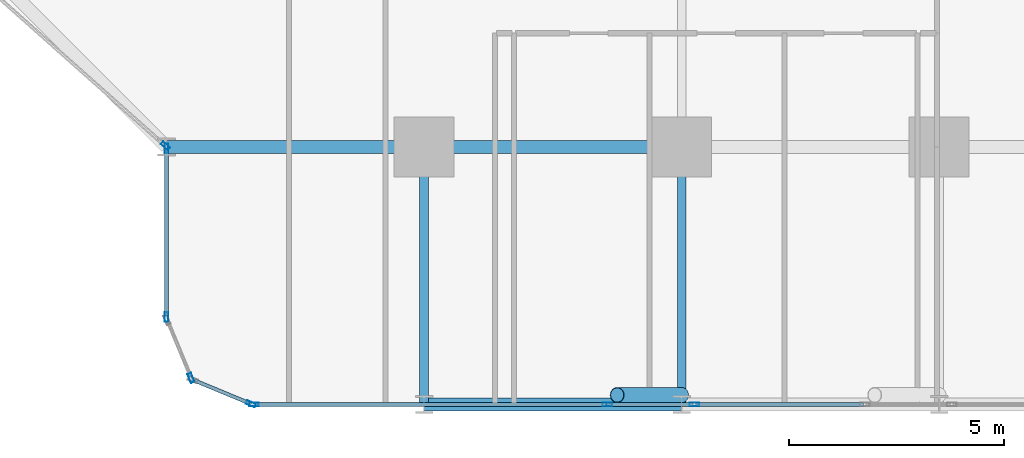
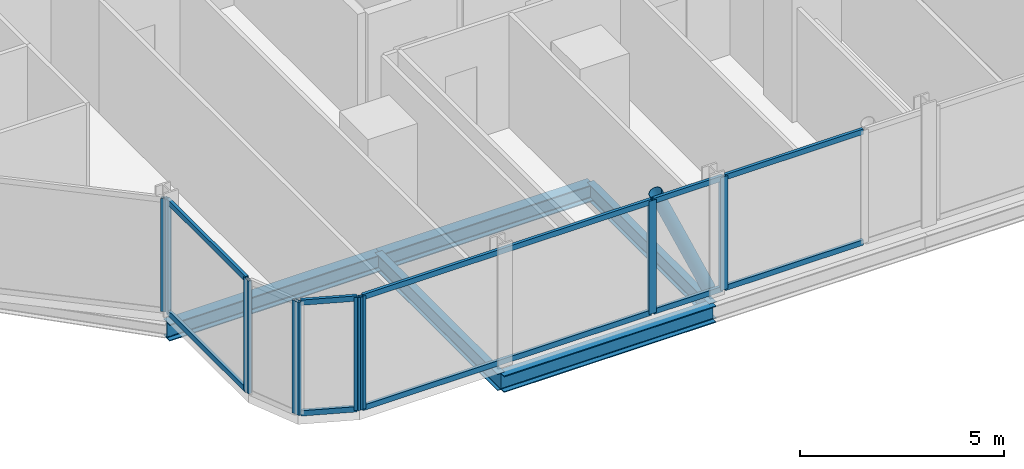
# One storey, part 3 of 33: 19 members, 5 beams, 7 elements without a shape of their own.
"""IFC4 building model written with IfcOpenShell, lengths in metres."""

from ifc_helpers import new_model, si_unit, direction, frame, origin, origin_2d, place, context, subcontext, project, spatial, hollow_rectangle, hollow_circle, i_section, extrude, material, layer, layer_set, material_profile, profile_set, type_object, element, aggregate, save


model = new_model("IFC4")

# Units and contexts
model_context = context("Model", 3, precision=1e-05, world=origin(), true_north=direction((0.0, 1.0)))
body_context = subcontext(model_context, "Body", "Model", "MODEL_VIEW")
ifc_project = project(units=[si_unit("LENGTHUNIT", "METRE"), si_unit("AREAUNIT", "SQUARE_METRE"), si_unit("VOLUMEUNIT", "CUBIC_METRE"), si_unit("PLANEANGLEUNIT", "RADIAN"), si_unit("MASSUNIT", "GRAM", prefix="KILO")], contexts=[model_context])

# Site, building, storey
site_placement = place(None, origin())
site = spatial("IfcSite", under=ifc_project, at=site_placement, CompositionType="ELEMENT")
building_placement = place(site_placement, origin())
building = spatial("IfcBuilding", under=site, at=building_placement, Name="Keshet Zoharim Tower", CompositionType="ELEMENT")
storey_placement = place(building_placement, frame((0.0, 0.0, 35.10009765625)))
storey = spatial("IfcBuildingStorey", under=building, at=storey_placement, Name="L07", CompositionType="ELEMENT", Elevation=35.10009765625)

# Beams
ifc_material_1 = material(Name="Steel S355", Category="steel")
ifc_material_profile_1 = material_profile(ifc_material_1, i_section(OverallWidth=0.199951171875, OverallDepth=0.5, WebThickness=0.01025390625, FlangeThickness=0.01611328125, FilletRadius=0.02099609375, at=origin_2d()), Name="IPE500")
ifc_profile_set_1 = profile_set([ifc_material_profile_1], Name="Steel S355")
beam_type_1 = type_object("IfcBeamType", Name="BM-PRI-IP500", PredefinedType="BEAM", material=ifc_profile_set_1)
for number, where, z_axis, x_axis, name in (
    (1, (27.0, 0.699951171875, -0.565185546875), (0.0, 1.0, 0.0), (-1.0, 0.0, 0.0), "L07 Primary Girder Y-004"),
    (2, (33.0, 0.699951171875, -0.565185546875), (0.0, 1.0, 0.0), (-1.0, 0.0, 0.0), "L07 Primary Girder Y-005"),
):
    element("IfcBeam", number, at=place(storey_placement, frame(where, z_axis=z_axis, x_axis=x_axis)), inside=storey, type_object=beam_type_1, Name=name, PredefinedType="BEAM", context=body_context, shape_type="SweptSolid", body=[
        extrude(i_section(OverallWidth=0.199951171875, OverallDepth=0.5, WebThickness=0.01025390625, FlangeThickness=0.01611328125, FilletRadius=0.02099609375, at=origin_2d()), origin(), (0.0, 0.0, 1.0), 6.0),
    ])
ifc_material_profile_2 = material_profile(ifc_material_1, i_section(OverallWidth=0.300048828125, OverallDepth=0.5, WebThickness=0.014404296875, FlangeThickness=0.028076171875, FilletRadius=0.027099609375, at=origin_2d()), Name="HEB500")
ifc_profile_set_2 = profile_set([ifc_material_profile_2], Name="Steel S355")
beam_type_2 = type_object("IfcBeamType", Name="BM-WEB-HB500", PredefinedType="BEAM", material=ifc_profile_set_2)
for number, where, z_axis, x_axis, name in (
    (3, (27.0, 0.699951171875, -0.565185546875), (1.0, 0.0, 0.0), (0.0, 1.0, 0.0), "L07 Primary Girder X-001"),
    (4, (21.0, 6.699951171875, -0.565185546875), (1.0, 0.0, 0.0), (0.0, 1.0, 0.0), "L07 Primary Girder X-006"),
    (5, (27.0, 6.699951171875, -0.565185546875), (1.0, 0.0, 0.0), (0.0, 1.0, 0.0), "L07 Primary Girder X-007"),
):
    element("IfcBeam", number, at=place(storey_placement, frame(where, z_axis=z_axis, x_axis=x_axis)), inside=storey, type_object=beam_type_2, Name=name, PredefinedType="BEAM", context=body_context, shape_type="SweptSolid", body=[
        extrude(i_section(OverallWidth=0.300048828125, OverallDepth=0.5, WebThickness=0.014404296875, FlangeThickness=0.028076171875, FilletRadius=0.027099609375, at=origin_2d()), origin(), (0.0, 0.0, 1.0), 6.0),
    ])

# Curtain wall, member
ifc_material_2 = material(Name="Aluminium 6063-T6", Category="aluminium")
ifc_layer = layer(ifc_material_2, 0.179931640625)
ifc_layer_set = layer_set([ifc_layer], Name="Aluminium 6063-T6")
curtain_wall_type = type_object("IfcCurtainWallType", Name="CW-SYS-01", PredefinedType="NOTDEFINED", material=ifc_layer_set)
curtain_wall_1_placement = place(storey_placement, origin())
curtain_wall_1 = element("IfcCurtainWall", 6, at=curtain_wall_1_placement, inside=storey, type_object=curtain_wall_type, Name="L07 Unitised Curtain Wall 01", PredefinedType="NOTDEFINED")
ifc_material_profile_3 = material_profile(ifc_material_2, hollow_rectangle(XDim=0.090087890625, YDim=0.219970703125, WallThickness=0.0048828125, at=origin_2d()), Name="MUL-90x220")
ifc_profile_set_3 = profile_set([ifc_material_profile_3], Name="Aluminium 6063-T6")
member_type_1 = type_object("IfcMemberType", Name="CWM-M22", PredefinedType="MULLION", material=ifc_profile_set_3)
member_1_placement = place(storey_placement, frame((20.973876953125, 6.72314453125, 0.0), z_axis=(0.0, 0.0, 1.0), x_axis=(-0.664363838836, -0.747409318679, 0.0)))
member_1 = element("IfcMember", 7, at=member_1_placement, type_object=member_type_1, Name="CW-01 mullion 1", PredefinedType="MULLION", context=body_context, shape_type="SweptSolid", body=[
    extrude(hollow_rectangle(XDim=0.090087890625, YDim=0.219970703125, WallThickness=0.0048828125, at=origin_2d()), origin(), (0.0, 0.0, 1.0), 3.385009765625),
])
aggregate(curtain_wall_1, [member_1])

curtain_wall_2_placement = place(storey_placement, origin())
curtain_wall_2 = element("IfcCurtainWall", 8, at=curtain_wall_2_placement, inside=storey, type_object=curtain_wall_type, Name="L07 Unitised Curtain Wall 26 Part 3", PredefinedType="NOTDEFINED")
member_2_placement = place(storey_placement, frame((33.297607421875, 0.699951171875, 0.0), z_axis=(0.0, 0.0, 1.0), x_axis=(0.0, -1.0, 0.0)))
member_2 = element("IfcMember", 9, at=member_2_placement, type_object=member_type_1, Name="CW-01 mullion 2", PredefinedType="MULLION", context=body_context, shape_type="SweptSolid", body=[
    extrude(hollow_rectangle(XDim=0.090087890625, YDim=0.219970703125, WallThickness=0.0048828125, at=origin_2d()), origin(), (0.0, 0.0, 1.0), 3.385009765625),
])

curtain_wall_3_placement = place(storey_placement, origin())
curtain_wall_3 = element("IfcCurtainWall", 10, at=curtain_wall_3_placement, inside=storey, type_object=curtain_wall_type, Name="L07 Unitised Curtain Wall 26 Part 4", PredefinedType="NOTDEFINED")
member_3_placement = place(storey_placement, frame((31.2724609375, 0.699951171875, 0.0), z_axis=(0.0, 0.0, 1.0), x_axis=(0.0, -1.0, 0.0)))
member_3 = element("IfcMember", 11, at=member_3_placement, type_object=member_type_1, Name="CW-01 mullion 2", PredefinedType="MULLION", context=body_context, shape_type="SweptSolid", body=[
    extrude(hollow_rectangle(XDim=0.090087890625, YDim=0.219970703125, WallThickness=0.0048828125, at=origin_2d()), origin(), (0.0, 0.0, 1.0), 3.385009765625),
])

curtain_wall_4_placement = place(storey_placement, origin())
curtain_wall_4 = element("IfcCurtainWall", 12, at=curtain_wall_4_placement, inside=storey, type_object=curtain_wall_type, Name="L07 Unitised Curtain Wall 26 Part 5", PredefinedType="NOTDEFINED")
member_4_placement = place(storey_placement, frame((23.034912109375, 0.699951171875, 0.0), z_axis=(0.0, 0.0, 1.0), x_axis=(0.0, -1.0, 0.0)))
member_4 = element("IfcMember", 13, at=member_4_placement, type_object=member_type_1, Name="CW-01 mullion 2", PredefinedType="MULLION", context=body_context, shape_type="SweptSolid", body=[
    extrude(hollow_rectangle(XDim=0.090087890625, YDim=0.219970703125, WallThickness=0.0048828125, at=origin_2d()), origin(), (0.0, 0.0, 1.0), 3.385009765625),
])

curtain_wall_5_placement = place(storey_placement, origin())
curtain_wall_5 = element("IfcCurtainWall", 14, at=curtain_wall_5_placement, inside=storey, type_object=curtain_wall_type, Name="L07 Unitised Curtain Wall 27", PredefinedType="NOTDEFINED")
member_5_placement = place(storey_placement, frame((22.9677734375, 0.71337890625, 0.0), z_axis=(0.0, 0.0, 1.0), x_axis=(-0.382851849847, -0.92380975372, 0.0)))
member_5 = element("IfcMember", 15, at=member_5_placement, type_object=member_type_1, Name="CW-01 mullion 1", PredefinedType="MULLION", context=body_context, shape_type="SweptSolid", body=[
    extrude(hollow_rectangle(XDim=0.090087890625, YDim=0.219970703125, WallThickness=0.0048828125, at=origin_2d()), origin(), (0.0, 0.0, 1.0), 3.385009765625),
])

curtain_wall_6_placement = place(storey_placement, origin())
curtain_wall_6 = element("IfcCurtainWall", 16, at=curtain_wall_6_placement, inside=storey, type_object=curtain_wall_type, Name="L07 Unitised Curtain Wall 28", PredefinedType="NOTDEFINED")
member_6_placement = place(storey_placement, frame((21.572509765625, 1.318359375, 0.0), z_axis=(0.0, 0.0, 1.0), x_axis=(-0.92380975372, -0.382851849847, 0.0)))
member_6 = element("IfcMember", 17, at=member_6_placement, type_object=member_type_1, Name="CW-01 mullion 1", PredefinedType="MULLION", context=body_context, shape_type="SweptSolid", body=[
    extrude(hollow_rectangle(XDim=0.090087890625, YDim=0.219970703125, WallThickness=0.0048828125, at=origin_2d()), origin(), (0.0, 0.0, 1.0), 3.385009765625),
])
aggregate(curtain_wall_6, [member_6])

# Curtain wall, members
curtain_wall_7_placement = place(storey_placement, origin())
curtain_wall_7 = element("IfcCurtainWall", 18, at=curtain_wall_7_placement, inside=storey, type_object=curtain_wall_type, Name="L07 Unitised Curtain Wall 29", PredefinedType="NOTDEFINED")
member_7_placement = place(storey_placement, frame((21.0, 2.735107421875, 0.0), z_axis=(0.0, 0.0, 1.0), x_axis=(-1.0, 0.0, 0.0)))
member_7 = element("IfcMember", 19, at=member_7_placement, type_object=member_type_1, Name="CW-01 mullion 1", PredefinedType="MULLION", context=body_context, shape_type="SweptSolid", body=[
    extrude(hollow_rectangle(XDim=0.090087890625, YDim=0.219970703125, WallThickness=0.0048828125, at=origin_2d()), origin(), (0.0, 0.0, 1.0), 3.385009765625),
])
member_8_placement = place(storey_placement, frame((21.0, 6.6650390625, 0.0), z_axis=(0.0, 0.0, 1.0), x_axis=(-1.0, 0.0, 0.0)))
member_8 = element("IfcMember", 20, at=member_8_placement, type_object=member_type_1, Name="CW-01 mullion 2", PredefinedType="MULLION", context=body_context, shape_type="SweptSolid", body=[
    extrude(hollow_rectangle(XDim=0.090087890625, YDim=0.219970703125, WallThickness=0.0048828125, at=origin_2d()), origin(), (0.0, 0.0, 1.0), 3.385009765625),
])

# Member
ifc_material_profile_4 = material_profile(ifc_material_2, hollow_rectangle(XDim=0.0849609375, YDim=0.159912109375, WallThickness=0.00439453125, at=origin_2d()), Name="TRN-85x160")
ifc_profile_set_4 = profile_set([ifc_material_profile_4], Name="Aluminium 6063-T6")
member_type_2 = type_object("IfcMemberType", Name="CWT-T16", PredefinedType="USERDEFINED", material=ifc_profile_set_4)
member_9_placement = place(storey_placement, frame((37.2373046875, 0.699951171875, 0.034912109375), z_axis=(-1.0, 0.0, 0.0), x_axis=(0.0, -1.0, 0.0)))
member_9 = element("IfcMember", 21, at=member_9_placement, type_object=member_type_2, Name="CW-01 transom 1.1", ObjectType="TRANSOM", PredefinedType="USERDEFINED", context=body_context, shape_type="SweptSolid", body=[
    extrude(hollow_rectangle(XDim=0.0849609375, YDim=0.159912109375, WallThickness=0.00439453125, at=origin_2d()), origin(), (0.0, 0.0, 1.0), 3.90478515625),
])

member_10_placement = place(storey_placement, frame((37.2373046875, 0.699951171875, 3.349853515625), z_axis=(-1.0, 0.0, 0.0), x_axis=(0.0, -1.0, 0.0)))
member_10 = element("IfcMember", 22, at=member_10_placement, type_object=member_type_2, Name="CW-01 transom 1.2", ObjectType="TRANSOM", PredefinedType="USERDEFINED", context=body_context, shape_type="SweptSolid", body=[
    extrude(hollow_rectangle(XDim=0.0849609375, YDim=0.159912109375, WallThickness=0.00439453125, at=origin_2d()), origin(), (0.0, 0.0, 1.0), 3.90478515625),
])

aggregate(curtain_wall_2, [member_2, member_9, member_10])

member_11_placement = place(storey_placement, frame((33.2626953125, 0.699951171875, 0.034912109375), z_axis=(-1.0, 0.0, 0.0), x_axis=(0.0, -1.0, 0.0)))
member_11 = element("IfcMember", 23, at=member_11_placement, type_object=member_type_2, Name="CW-01 transom 1.1", ObjectType="TRANSOM", PredefinedType="USERDEFINED", context=body_context, shape_type="SweptSolid", body=[
    extrude(hollow_rectangle(XDim=0.0849609375, YDim=0.159912109375, WallThickness=0.00439453125, at=origin_2d()), origin(), (0.0, 0.0, 1.0), 1.955322265625),
])

member_12_placement = place(storey_placement, frame((33.2626953125, 0.699951171875, 3.349853515625), z_axis=(-1.0, 0.0, 0.0), x_axis=(0.0, -1.0, 0.0)))
member_12 = element("IfcMember", 24, at=member_12_placement, type_object=member_type_2, Name="CW-01 transom 1.2", ObjectType="TRANSOM", PredefinedType="USERDEFINED", context=body_context, shape_type="SweptSolid", body=[
    extrude(hollow_rectangle(XDim=0.0849609375, YDim=0.159912109375, WallThickness=0.00439453125, at=origin_2d()), origin(), (0.0, 0.0, 1.0), 1.955322265625),
])

aggregate(curtain_wall_3, [member_3, member_11, member_12])

member_13_placement = place(storey_placement, frame((31.2373046875, 0.699951171875, 0.034912109375), z_axis=(-1.0, 0.0, 0.0), x_axis=(0.0, -1.0, 0.0)))
member_13 = element("IfcMember", 25, at=member_13_placement, type_object=member_type_2, Name="CW-01 transom 1.1", ObjectType="TRANSOM", PredefinedType="USERDEFINED", context=body_context, shape_type="SweptSolid", body=[
    extrude(hollow_rectangle(XDim=0.0849609375, YDim=0.159912109375, WallThickness=0.00439453125, at=origin_2d()), origin(), (0.0, 0.0, 1.0), 8.167236328125),
])

member_14_placement = place(storey_placement, frame((31.2373046875, 0.699951171875, 3.349853515625), z_axis=(-1.0, 0.0, 0.0), x_axis=(0.0, -1.0, 0.0)))
member_14 = element("IfcMember", 26, at=member_14_placement, type_object=member_type_2, Name="CW-01 transom 1.2", ObjectType="TRANSOM", PredefinedType="USERDEFINED", context=body_context, shape_type="SweptSolid", body=[
    extrude(hollow_rectangle(XDim=0.0849609375, YDim=0.159912109375, WallThickness=0.00439453125, at=origin_2d()), origin(), (0.0, 0.0, 1.0), 8.167236328125),
])

aggregate(curtain_wall_4, [member_4, member_13, member_14])

member_15_placement = place(storey_placement, frame((22.935302734375, 0.726806640625, 0.034912109375), z_axis=(-0.92379209995, 0.382894445076, 0.0), x_axis=(-0.382894445076, -0.92379209995, 0.0)))
member_15 = element("IfcMember", 27, at=member_15_placement, type_object=member_type_2, Name="CW-01 transom 1.1", ObjectType="TRANSOM", PredefinedType="USERDEFINED", context=body_context, shape_type="SweptSolid", body=[
    extrude(hollow_rectangle(XDim=0.0849609375, YDim=0.159912109375, WallThickness=0.00439453125, at=origin_2d()), origin(), (0.0, 0.0, 1.0), 1.390625),
])

member_16_placement = place(storey_placement, frame((22.935302734375, 0.726806640625, 3.349853515625), z_axis=(-0.92379209995, 0.382894445076, 0.0), x_axis=(-0.382894445076, -0.92379209995, 0.0)))
member_16 = element("IfcMember", 28, at=member_16_placement, type_object=member_type_2, Name="CW-01 transom 1.2", ObjectType="TRANSOM", PredefinedType="USERDEFINED", context=body_context, shape_type="SweptSolid", body=[
    extrude(hollow_rectangle(XDim=0.0849609375, YDim=0.159912109375, WallThickness=0.00439453125, at=origin_2d()), origin(), (0.0, 0.0, 1.0), 1.390625),
])

aggregate(curtain_wall_5, [member_5, member_15, member_16])

member_17_placement = place(storey_placement, frame((21.0, 2.77001953125, 0.034912109375), z_axis=(0.0, 1.0, 0.0), x_axis=(-1.0, 0.0, 0.0)))
member_17 = element("IfcMember", 29, at=member_17_placement, type_object=member_type_2, Name="CW-01 transom 1.1", ObjectType="TRANSOM", PredefinedType="USERDEFINED", context=body_context, shape_type="SweptSolid", body=[
    extrude(hollow_rectangle(XDim=0.0849609375, YDim=0.159912109375, WallThickness=0.00439453125, at=origin_2d()), origin(), (0.0, 0.0, 1.0), 3.85986328125),
])

member_18_placement = place(storey_placement, frame((21.0, 2.77001953125, 3.349853515625), z_axis=(0.0, 1.0, 0.0), x_axis=(-1.0, 0.0, 0.0)))
member_18 = element("IfcMember", 30, at=member_18_placement, type_object=member_type_2, Name="CW-01 transom 1.2", ObjectType="TRANSOM", PredefinedType="USERDEFINED", context=body_context, shape_type="SweptSolid", body=[
    extrude(hollow_rectangle(XDim=0.0849609375, YDim=0.159912109375, WallThickness=0.00439453125, at=origin_2d()), origin(), (0.0, 0.0, 1.0), 3.85986328125),
])

aggregate(curtain_wall_7, [member_7, member_8, member_17, member_18])

ifc_material_profile_5 = material_profile(ifc_material_1, hollow_circle(Radius=0.177734375, WallThickness=0.012451171875, at=origin_2d()), Name="CHS355x12.5")
ifc_profile_set_5 = profile_set([ifc_material_profile_5], Name="Steel S355")
member_type_3 = type_object("IfcMemberType", Name="MB-BR-C355", PredefinedType="BRACE", material=ifc_profile_set_5)
member_19_placement = place(storey_placement, frame((33.0, 0.919921875, 0.0), z_axis=(-0.405134846829, 0.0, 0.91425694194), x_axis=(0.0, -1.0, 0.0)))
element("IfcMember", 31, at=member_19_placement, inside=storey, type_object=member_type_3, Name="L07 Perimeter Tube Brace 02", PredefinedType="BRACE", context=body_context, shape_type="SweptSolid", body=[
    extrude(hollow_circle(Radius=0.177734375, WallThickness=0.012451171875, at=origin_2d()), origin(), (0.0, 0.0, 1.0), 3.702392578125),
])

save(model, "model.ifc")
